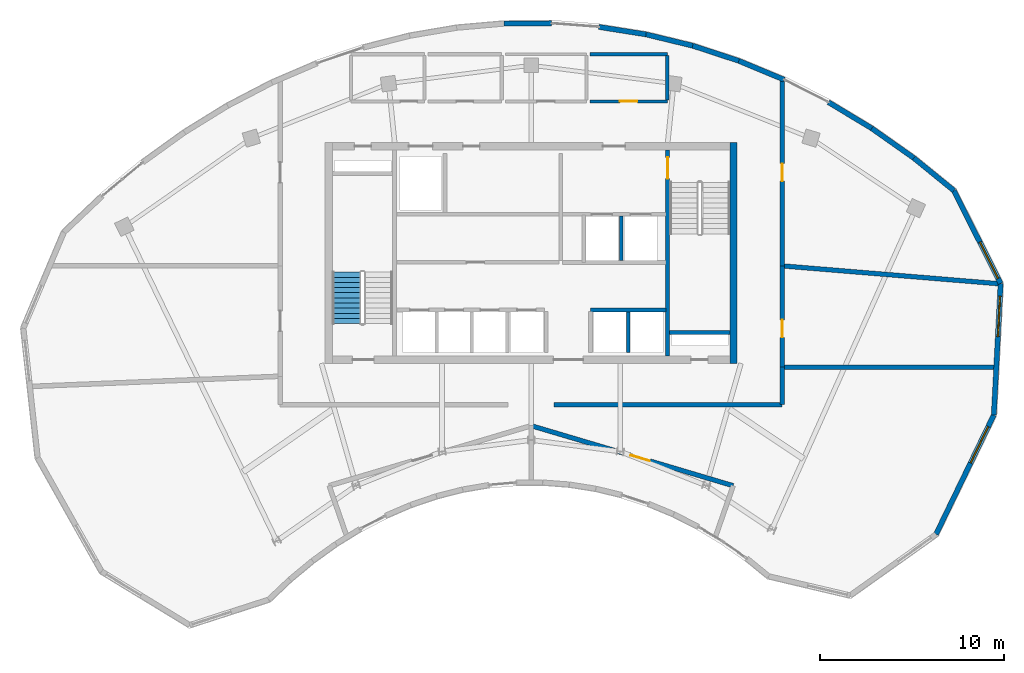
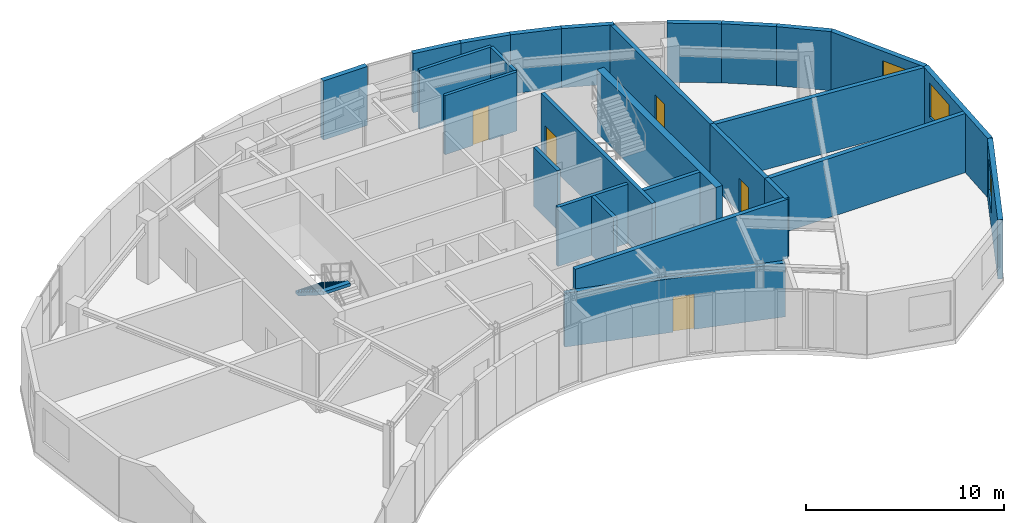
# One storey, part 7 of 9: 27 walls, 5 doors, 3 windows, 1 stair flight, 8 openings, 1 element without a shape of its own.
"""IFC4 building model written with IfcOpenShell, lengths in metres."""

from ifc_helpers import new_model, si_unit, direction, frame, frame_2d, origin, place, context, subcontext, project, spatial, polyline, rectangle, outline, extrude, source, transform, mapped, material, layer, layer_set, type_object, type_shapes, element, fill, aggregate, save


model = new_model("IFC4")

# Units and contexts
model_context = context("Model", 3, precision=1e-05, world=origin(), true_north=direction((0.0, 1.0)))
body_context = subcontext(model_context, "Body", "Model", "MODEL_VIEW")
ifc_project = project(units=[si_unit("LENGTHUNIT", "METRE"), si_unit("AREAUNIT", "SQUARE_METRE"), si_unit("VOLUMEUNIT", "CUBIC_METRE"), si_unit("PLANEANGLEUNIT", "RADIAN"), si_unit("MASSUNIT", "GRAM", prefix="KILO")], contexts=[model_context])

# Site, building, storey
site_placement = place(None, origin())
site = spatial("IfcSite", under=ifc_project, at=site_placement, CompositionType="ELEMENT")
building_placement = place(site_placement, origin())
building = spatial("IfcBuilding", under=site, at=building_placement, Name="Breltana Convention Tower", CompositionType="ELEMENT")
storey_placement = place(building_placement, frame((0.0, 0.0, 291.300048828125)))
storey = spatial("IfcBuildingStorey", under=building, at=storey_placement, Name="L71", CompositionType="ELEMENT", Elevation=291.300048828125)

# Walls
ifc_material_1 = material(Name="Concrete C50/60", Category="concrete")
ifc_layer_1 = layer(ifc_material_1, 0.39990234375, Name="Concrete C50/60")
ifc_layer_set_1 = layer_set([ifc_layer_1], Name="Concrete C50/60")
wall_type_1 = type_object("IfcWallType", Name="SW-CORE-400", PredefinedType="SHEAR", material=ifc_layer_set_1)
shared_shape_1 = source(origin(), body_context, "Body", "SweptSolid", [
    extrude(rectangle(XDim=3.27001953125, YDim=0.219970703125, at=frame_2d((1.635009765625, 0.0))), origin(), (0.0, 0.0, 1.0), 3.89990234375),
])
wall_1_placement = place(storey_placement, frame((55.530029296875, 61.889892578125, 0.0), z_axis=(0.0, 0.0, 1.0), x_axis=(1.0, 0.0, 0.0)))
element("IfcWall", 1, at=wall_1_placement, inside=storey, type_object=wall_type_1, Name="L71 ST-2 Stairwell South Bearing Wall", PredefinedType="SHEAR", context=body_context, shape_type="MappedRepresentation", body=[
    mapped(shared_shape_1, transform((0.0, 0.0, 0.0), scale=1.0)),
])
shared_shape_2 = source(origin(), body_context, "Body", "SweptSolid", [
    extrude(rectangle(XDim=12.0, YDim=0.39990234375, at=frame_2d((6.0, 0.0))), origin(), (0.0, 0.0, 1.0), 3.89990234375),
])
wall_2_placement = place(storey_placement, frame((59.0, 60.199951171875, 0.0), z_axis=(0.0, 0.0, 1.0), x_axis=(0.0, 1.0, 0.0)))
element("IfcWall", 2, at=wall_2_placement, inside=storey, type_object=wall_type_1, Name="L71 East Core Shear Wall", PredefinedType="SHEAR", context=body_context, shape_type="MappedRepresentation", body=[
    mapped(shared_shape_2, transform((0.0, 0.0, 0.0), scale=1.0)),
])

# Wall, opening, door
shared_shape_3 = source(origin(), body_context, "Body", "SweptSolid", [
    extrude(rectangle(XDim=11.199951171875, YDim=0.219970703125, at=frame_2d((5.60009765625, 0.0))), origin(), (0.0, 0.0, 1.0), 3.89990234375),
])
wall_3_placement = place(storey_placement, frame((55.419921875, 60.60009765625, 0.0), z_axis=(0.0, 0.0, 1.0), x_axis=(0.0, 1.0, 0.0)))
wall_3 = element("IfcWall", 3, at=wall_3_placement, inside=storey, type_object=wall_type_1, Name="L71 Core East Stair Spine Wall", PredefinedType="SHEAR", context=body_context, shape_type="MappedRepresentation", body=[
    mapped(shared_shape_3, transform((0.0, 0.0, 0.0), scale=1.0)),
])
opening_1_placement = place(wall_3_placement, frame((9.64501953125, 0.0, 0.0)))
opening_1 = element("IfcOpeningElement", 4, at=opening_1_placement, cuts=wall_3, Name="Opening D-11", PredefinedType="OPENING", context=body_context, shape_type="SweptSolid", body=[
    extrude(rectangle(XDim=1.14990234375, YDim=2.14990234375, at=frame_2d((0.574951171875, 1.074951171875))), frame((0.0, 0.1201171875, 0.0), z_axis=(0.0, -1.0, 0.0), x_axis=(1.0, 0.0, 0.0)), (0.0, 0.0, 1.0), 0.239990234375),
])
ifc_material_2 = material(Name="Steel Stair Exit Door", Category="steel")
door_type_1 = type_object("IfcDoorType", Name="DR-FD120-1150", OperationType="NOTDEFINED", PredefinedType="DOOR", material=ifc_material_2)
shared_shape_4 = source(origin(), body_context, "Body", "SweptSolid", [
    extrude(rectangle(XDim=1.14990234375, YDim=2.14990234375, at=frame_2d((0.574951171875, 1.074951171875))), frame((0.0, 0.02490234375, 0.0), z_axis=(0.0, -1.0, 0.0), x_axis=(1.0, 0.0, 0.0)), (0.0, 0.0, 1.0), 0.050048828125),
])
type_shapes(door_type_1, [shared_shape_4])
door_1_placement = place(opening_1_placement, origin())
door_1 = element("IfcDoor", 5, at=door_1_placement, inside=storey, type_object=door_type_1, Name="L71 interior door D-L71-ST2", OperationType="SINGLE_SWING_LEFT", OverallHeight=2.14990234375, OverallWidth=1.14990234375, PredefinedType="DOOR", context=body_context, shape_type="MappedRepresentation", body=[
    mapped(shared_shape_4, transform((0.0, 0.0, 0.0), scale=1.0)),
])
fill(opening_1, door_1)

# Wall, opening, window
ifc_material_3 = material(Name="Limestone Buff Insulated Wall", Category="masonry")
ifc_layer_2 = layer(ifc_material_3, 0.280029296875, Name="Limestone Buff Insulated Wall")
ifc_layer_set_2 = layer_set([ifc_layer_2], Name="Limestone Buff Insulated Wall")
wall_type_2 = type_object("IfcWallType", Name="WL-EXT-NOSE-280", PredefinedType="SOLIDWALL", material=ifc_layer_set_2)
shared_shape_5 = source(origin(), body_context, "Body", "SweptSolid", [
    extrude(rectangle(XDim=5.6533203125, YDim=0.280029296875, at=frame_2d((2.82666015625, 0.0))), origin(), (0.0, 0.0, 1.0), 3.639892578125),
])
wall_4_placement = place(storey_placement, frame((70.976318359375, 69.5908203125, 0.0), z_axis=(0.0, 0.0, 1.0), x_axis=(0.449302555419, -0.893379658205, 0.0)))
wall_4 = element("IfcWall", 6, at=wall_4_placement, inside=storey, type_object=wall_type_2, Name="L71 curved limestone nose wall E1", PredefinedType="SOLIDWALL", context=body_context, shape_type="MappedRepresentation", body=[
    mapped(shared_shape_5, transform((0.0, 0.0, 0.0), scale=1.0)),
])
opening_2_placement = place(wall_4_placement, frame((3.139892578125, 0.0, 0.949951171875)))
opening_2 = element("IfcOpeningElement", 7, at=opening_2_placement, cuts=wall_4, Name="Opening W-03", PredefinedType="OPENING", context=body_context, shape_type="SweptSolid", body=[
    extrude(rectangle(XDim=2.199951171875, YDim=2.10009765625, at=frame_2d((1.10009765625, 1.050048828125))), frame((0.0, 0.14990234375, 0.0), z_axis=(0.0, -1.0, 0.0), x_axis=(1.0, 0.0, 0.0)), (0.0, 0.0, 1.0), 0.300048828125),
])
ifc_material_4 = material(Name="Glass Low-E Insulated Window", Category="glass")
window_type = type_object("IfcWindowType", Name="WN-NOSE-2200X2100", PartitioningType="TRIPLE_PANEL_VERTICAL", PredefinedType="WINDOW", material=ifc_material_4)
shared_shape_6 = source(origin(), body_context, "Body", "SweptSolid", [
    extrude(rectangle(XDim=2.199951171875, YDim=2.10009765625, at=frame_2d((1.10009765625, 1.050048828125))), frame((0.0, 0.030029296875, 0.0), z_axis=(0.0, -1.0, 0.0), x_axis=(1.0, 0.0, 0.0)), (0.0, 0.0, 1.0), 0.06005859375),
])
type_shapes(window_type, [shared_shape_6])
window_1_placement = place(opening_2_placement, origin())
window_1 = element("IfcWindow", 8, at=window_1_placement, inside=storey, type_object=window_type, Name="L71 nose window E1", OverallHeight=2.10009765625, OverallWidth=2.199951171875, PartitioningType="TRIPLE_PANEL_VERTICAL", PredefinedType="WINDOW", context=body_context, shape_type="MappedRepresentation", body=[
    mapped(shared_shape_6, transform((0.0, 0.0, 0.0), scale=1.0)),
])
fill(opening_2, window_1)

shared_shape_7 = source(origin(), body_context, "Body", "SweptSolid", [
    extrude(rectangle(XDim=7.151123046875, YDim=0.280029296875, at=frame_2d((3.57568359375, 0.0))), origin(), (0.0, 0.0, 1.0), 3.639892578125),
])
wall_5_placement = place(storey_placement, frame((73.516357421875, 64.540283203125, 0.0), z_axis=(0.0, 0.0, 1.0), x_axis=(-0.051449614265, -0.998675591567, 0.0)))
wall_5 = element("IfcWall", 9, at=wall_5_placement, inside=storey, type_object=wall_type_2, Name="L71 curved limestone nose wall E2", PredefinedType="SOLIDWALL", context=body_context, shape_type="MappedRepresentation", body=[
    mapped(shared_shape_7, transform((0.0, 0.0, 0.0), scale=1.0)),
])
opening_3_placement = place(wall_5_placement, frame((0.687744140625, 0.0, 0.949951171875)))
opening_3 = element("IfcOpeningElement", 10, at=opening_3_placement, cuts=wall_5, Name="Opening W-03", PredefinedType="OPENING", context=body_context, shape_type="SweptSolid", body=[
    extrude(rectangle(XDim=2.199951171875, YDim=2.10009765625, at=frame_2d((1.10009765625, 1.050048828125))), frame((0.0, 0.14990234375, 0.0), z_axis=(0.0, -1.0, 0.0), x_axis=(1.0, 0.0, 0.0)), (0.0, 0.0, 1.0), 0.300048828125),
])
window_2_placement = place(opening_3_placement, origin())
window_2 = element("IfcWindow", 11, at=window_2_placement, inside=storey, type_object=window_type, Name="L71 nose window E2", OverallHeight=2.10009765625, OverallWidth=2.199951171875, PartitioningType="TRIPLE_PANEL_VERTICAL", PredefinedType="WINDOW", context=body_context, shape_type="MappedRepresentation", body=[
    mapped(shared_shape_6, transform((0.0, 0.0, 0.0), scale=1.0)),
])
fill(opening_3, window_2)

shared_shape_8 = source(origin(), body_context, "Body", "SweptSolid", [
    extrude(rectangle(XDim=7.21142578125, YDim=0.280029296875, at=frame_2d((3.605712890625, 0.0))), origin(), (0.0, 0.0, 1.0), 3.639892578125),
])
wall_6_placement = place(storey_placement, frame((73.1484375, 57.398681640625, 0.0), z_axis=(0.0, 0.0, 1.0), x_axis=(-0.436088263006, -0.899903898685, 0.0)))
wall_6 = element("IfcWall", 12, at=wall_6_placement, inside=storey, type_object=wall_type_2, Name="L71 curved limestone nose wall E3", PredefinedType="SOLIDWALL", context=body_context, shape_type="MappedRepresentation", body=[
    mapped(shared_shape_8, transform((0.0, 0.0, 0.0), scale=1.0)),
])
opening_4_placement = place(wall_6_placement, frame((0.702880859375, 0.0, 0.949951171875)))
opening_4 = element("IfcOpeningElement", 13, at=opening_4_placement, cuts=wall_6, Name="Opening W-03", PredefinedType="OPENING", context=body_context, shape_type="SweptSolid", body=[
    extrude(rectangle(XDim=2.199951171875, YDim=2.10009765625, at=frame_2d((1.10009765625, 1.050048828125))), frame((0.0, 0.14990234375, 0.0), z_axis=(0.0, -1.0, 0.0), x_axis=(1.0, 0.0, 0.0)), (0.0, 0.0, 1.0), 0.300048828125),
])
window_3_placement = place(opening_4_placement, origin())
window_3 = element("IfcWindow", 14, at=window_3_placement, inside=storey, type_object=window_type, Name="L71 nose window E3", OverallHeight=2.10009765625, OverallWidth=2.199951171875, PartitioningType="TRIPLE_PANEL_VERTICAL", PredefinedType="WINDOW", context=body_context, shape_type="MappedRepresentation", body=[
    mapped(shared_shape_6, transform((0.0, 0.0, 0.0), scale=1.0)),
])
fill(opening_4, window_3)

# Walls
shared_shape_9 = source(origin(), body_context, "Body", "SweptSolid", [
    extrude(rectangle(XDim=2.578125, YDim=0.280029296875, at=frame_2d((1.2890625, 0.0))), origin(), (0.0, 0.0, 1.0), 3.639892578125),
])
wall_7_placement = place(storey_placement, frame((46.52685546875, 78.668212890625, 0.0), z_axis=(0.0, 0.0, 1.0), x_axis=(0.999982204439, 0.005965802924, 0.0)))
element("IfcWall", 15, at=wall_7_placement, inside=storey, type_object=wall_type_2, Name="L71 curved limestone nose wall E27", PredefinedType="SOLIDWALL", context=body_context, shape_type="MappedRepresentation", body=[
    mapped(shared_shape_9, transform((0.0, 0.0, 0.0), scale=1.0)),
])
shared_shape_10 = source(origin(), body_context, "Body", "SweptSolid", [
    extrude(rectangle(XDim=2.592529296875, YDim=0.280029296875, at=frame_2d((1.29638671875, 0.0))), origin(), (0.0, 0.0, 1.0), 3.639892578125),
])
wall_8_placement = place(storey_placement, frame((51.6787109375, 78.487548828125, 0.0), z_axis=(0.0, 0.0, 1.0), x_axis=(0.987661204406, -0.156605700126, 0.0)))
element("IfcWall", 16, at=wall_8_placement, inside=storey, type_object=wall_type_2, Name="L71 curved limestone nose wall E28", PredefinedType="SOLIDWALL", context=body_context, shape_type="MappedRepresentation", body=[
    mapped(shared_shape_10, transform((0.0, 0.0, 0.0), scale=1.0)),
])
shared_shape_11 = source(origin(), body_context, "Body", "SweptSolid", [
    extrude(rectangle(XDim=2.63623046875, YDim=0.280029296875, at=frame_2d((1.318115234375, 0.0))), origin(), (0.0, 0.0, 1.0), 3.639892578125),
])
wall_9_placement = place(storey_placement, frame((56.776611328125, 77.466796875, 0.0), z_axis=(0.0, 0.0, 1.0), x_axis=(0.950200321617, -0.311639774097, 0.0)))
element("IfcWall", 17, at=wall_9_placement, inside=storey, type_object=wall_type_2, Name="L71 curved limestone nose wall E30", PredefinedType="SOLIDWALL", context=body_context, shape_type="MappedRepresentation", body=[
    mapped(shared_shape_11, transform((0.0, 0.0, 0.0), scale=1.0)),
])
shared_shape_12 = source(origin(), body_context, "Body", "SweptSolid", [
    extrude(rectangle(XDim=2.668212890625, YDim=0.280029296875, at=frame_2d((1.333984375, 0.0))), origin(), (0.0, 0.0, 1.0), 3.639892578125),
])
wall_10_placement = place(storey_placement, frame((59.281494140625, 76.645263671875, 0.0), z_axis=(0.0, 0.0, 1.0), x_axis=(0.923290633029, -0.384102078828, 0.0)))
element("IfcWall", 18, at=wall_10_placement, inside=storey, type_object=wall_type_2, Name="L71 curved limestone nose wall E31", PredefinedType="SOLIDWALL", context=body_context, shape_type="MappedRepresentation", body=[
    mapped(shared_shape_12, transform((0.0, 0.0, 0.0), scale=1.0)),
])
shared_shape_13 = source(origin(), body_context, "Body", "SweptSolid", [
    extrude(rectangle(XDim=2.748291015625, YDim=0.280029296875, at=frame_2d((1.3740234375, 0.0))), origin(), (0.0, 0.0, 1.0), 3.639892578125),
])
wall_11_placement = place(storey_placement, frame((64.157470703125, 74.3955078125, 0.0), z_axis=(0.0, 0.0, 1.0), x_axis=(0.856149718453, -0.516727838996, 0.0)))
element("IfcWall", 19, at=wall_11_placement, inside=storey, type_object=wall_type_2, Name="L71 curved limestone nose wall E32", PredefinedType="SOLIDWALL", context=body_context, shape_type="MappedRepresentation", body=[
    mapped(shared_shape_13, transform((0.0, 0.0, 0.0), scale=1.0)),
])
shared_shape_14 = source(origin(), body_context, "Body", "SweptSolid", [
    extrude(rectangle(XDim=2.811767578125, YDim=0.280029296875, at=frame_2d((1.40576171875, 0.0))), origin(), (0.0, 0.0, 1.0), 3.639892578125),
])
wall_12_placement = place(storey_placement, frame((68.794677734375, 71.36474609375, 0.0), z_axis=(0.0, 0.0, 1.0), x_axis=(0.775880230716, -0.630880232361, 0.0)))
element("IfcWall", 20, at=wall_12_placement, inside=storey, type_object=wall_type_2, Name="L71 curved limestone nose wall E34", PredefinedType="SOLIDWALL", context=body_context, shape_type="MappedRepresentation", body=[
    mapped(shared_shape_14, transform((0.0, 0.0, 0.0), scale=1.0)),
])
shared_shape_15 = source(origin(), body_context, "Body", "SweptSolid", [
    extrude(rectangle(XDim=2.61083984375, YDim=0.280029296875, at=frame_2d((1.305419921875, 0.0))), origin(), (0.0, 0.0, 1.0), 3.639892578125),
])
wall_13_placement = place(storey_placement, frame((54.2392578125, 78.08154296875, 0.0), z_axis=(0.0, 0.0, 1.0), x_axis=(0.97188253817, -0.235466201396, 0.0)))
element("IfcWall", 21, at=wall_13_placement, inside=storey, type_object=wall_type_2, Name="L71 curved limestone nose wall E29", PredefinedType="SOLIDWALL", context=body_context, shape_type="MappedRepresentation", body=[
    mapped(shared_shape_15, transform((0.0, 0.0, 0.0), scale=1.0)),
])
shared_shape_16 = source(origin(), body_context, "Body", "SweptSolid", [
    extrude(rectangle(XDim=2.794921875, YDim=0.280029296875, at=frame_2d((1.3974609375, 0.0))), origin(), (0.0, 0.0, 1.0), 3.639892578125),
])
wall_14_placement = place(storey_placement, frame((66.510498046875, 72.975341796875, 0.0), z_axis=(0.0, 0.0, 1.0), x_axis=(0.817265517835, -0.576261289136, 0.0)))
element("IfcWall", 22, at=wall_14_placement, inside=storey, type_object=wall_type_2, Name="L71 curved limestone nose wall E33", PredefinedType="SOLIDWALL", context=body_context, shape_type="MappedRepresentation", body=[
    mapped(shared_shape_16, transform((0.0, 0.0, 0.0), scale=1.0)),
])
ifc_material_5 = material(Name="Autoclaved Aerated Concrete Block", Category="concrete")
ifc_layer_3 = layer(ifc_material_5, 0.199951171875, Name="Autoclaved Aerated Concrete Block")
ifc_layer_set_3 = layer_set([ifc_layer_3], Name="Autoclaved Aerated Concrete Block")
wall_type_3 = type_object("IfcWallType", Name="WL-SHAFT-200", PredefinedType="SOLIDWALL", material=ifc_layer_set_3)
shared_shape_17 = source(origin(), body_context, "Body", "SweptSolid", [
    extrude(rectangle(XDim=2.39990234375, YDim=0.199951171875, at=frame_2d((1.199951171875, 0.0))), origin(), (0.0, 0.0, 1.0), 3.639892578125),
])
wall_15_placement = place(storey_placement, frame((52.89990234375, 65.800048828125, 0.0), z_axis=(0.0, 0.0, 1.0), x_axis=(0.0, 1.0, 0.0)))
element("IfcWall", 23, at=wall_15_placement, inside=storey, type_object=wall_type_3, Name="L71 interior partition W-L71-FL-DIV", PredefinedType="SOLIDWALL", context=body_context, shape_type="MappedRepresentation", body=[
    mapped(shared_shape_17, transform((0.0, 0.0, 0.0), scale=1.0)),
])
shared_shape_18 = source(origin(), body_context, "Body", "SweptSolid", [
    extrude(rectangle(XDim=4.10009765625, YDim=0.199951171875, at=frame_2d((2.050048828125, 0.0))), origin(), (0.0, 0.0, 1.0), 3.639892578125),
])
wall_16_placement = place(storey_placement, frame((51.219970703125, 63.10009765625, 0.0), z_axis=(0.0, 0.0, 1.0), x_axis=(1.0, 0.0, 0.0)))
element("IfcWall", 24, at=wall_16_placement, inside=storey, type_object=wall_type_3, Name="L71 interior partition W-L71-SH-X-FRONT", PredefinedType="SOLIDWALL", context=body_context, shape_type="MappedRepresentation", body=[
    mapped(shared_shape_18, transform((0.0, 0.0, 0.0), scale=1.0)),
])
shared_shape_19 = source(origin(), body_context, "Body", "SweptSolid", [
    extrude(rectangle(XDim=2.199951171875, YDim=0.199951171875, at=frame_2d((1.10009765625, 0.0))), origin(), (0.0, 0.0, 1.0), 3.639892578125),
])
wall_17_placement = place(storey_placement, frame((53.280029296875, 60.800048828125, 0.0), z_axis=(0.0, 0.0, 1.0), x_axis=(0.0, 1.0, 0.0)))
element("IfcWall", 25, at=wall_17_placement, inside=storey, type_object=wall_type_3, Name="L71 interior partition W-L71-SH-X-DIV", PredefinedType="SOLIDWALL", context=body_context, shape_type="MappedRepresentation", body=[
    mapped(shared_shape_19, transform((0.0, 0.0, 0.0), scale=1.0)),
])
ifc_material_6 = material(Name="Cement Board Wet-Area Partition")
ifc_layer_4 = layer(ifc_material_6, 0.175048828125, Name="Cement Board Wet-Area Partition")
ifc_layer_set_4 = layer_set([ifc_layer_4], Name="Cement Board Wet-Area Partition")
wall_type_4 = type_object("IfcWallType", Name="WL-WET-175", PredefinedType="PARTITIONING", material=ifc_layer_set_4)
shared_shape_20 = source(origin(), body_context, "Body", "SweptSolid", [
    extrude(rectangle(XDim=2.402587890625, YDim=0.175048828125, at=frame_2d((1.201171875, 0.0))), origin(), (0.0, 0.0, 1.0), 3.639892578125),
])
wall_18_placement = place(storey_placement, frame((55.39990234375, 74.518798828125, 0.0), z_axis=(0.0, 0.0, 1.0), x_axis=(0.0, 1.0, 0.0)))
element("IfcWall", 26, at=wall_18_placement, inside=storey, type_object=wall_type_4, Name="L71 interior partition W-L71-WCA-E", PredefinedType="PARTITIONING", context=body_context, shape_type="MappedRepresentation", body=[
    mapped(shared_shape_20, transform((0.0, 0.0, 0.0), scale=1.0)),
])

# Wall, opening, door
shared_shape_21 = source(origin(), body_context, "Body", "SweptSolid", [
    extrude(rectangle(XDim=4.199951171875, YDim=0.175048828125, at=frame_2d((2.10009765625, 0.0))), origin(), (0.0, 0.0, 1.0), 3.639892578125),
])
wall_19_placement = place(storey_placement, frame((51.199951171875, 74.43994140625, 0.0), z_axis=(0.0, 0.0, 1.0), x_axis=(1.0, 0.0, 0.0)))
wall_19 = element("IfcWall", 27, at=wall_19_placement, inside=storey, type_object=wall_type_4, Name="L71 interior partition W-L71-WCA-S", PredefinedType="PARTITIONING", context=body_context, shape_type="MappedRepresentation", body=[
    mapped(shared_shape_21, transform((0.0, 0.0, 0.0), scale=1.0)),
])
opening_5_placement = place(wall_19_placement, frame((1.625, 0.0, 0.0)))
opening_5 = element("IfcOpeningElement", 28, at=opening_5_placement, cuts=wall_19, Name="Opening D-16", PredefinedType="OPENING", context=body_context, shape_type="SweptSolid", body=[
    extrude(rectangle(XDim=0.949951171875, YDim=2.1201171875, at=frame_2d((0.47509765625, 1.06005859375))), frame((0.0, 0.09765625, 0.0), z_axis=(0.0, -1.0, 0.0), x_axis=(1.0, 0.0, 0.0)), (0.0, 0.0, 1.0), 0.195068359375),
])
ifc_material_7 = material(Name="Timber Laminate Accessible Door", Category="wood")
door_type_2 = type_object("IfcDoorType", Name="DR-ACC-950", OperationType="NOTDEFINED", PredefinedType="DOOR", material=ifc_material_7)
shared_shape_22 = source(origin(), body_context, "Body", "SweptSolid", [
    extrude(rectangle(XDim=0.949951171875, YDim=2.1201171875, at=frame_2d((0.47509765625, 1.06005859375))), frame((0.0, 0.02490234375, 0.0), z_axis=(0.0, -1.0, 0.0), x_axis=(1.0, 0.0, 0.0)), (0.0, 0.0, 1.0), 0.050048828125),
])
type_shapes(door_type_2, [shared_shape_22])
door_2_placement = place(opening_5_placement, origin())
door_2 = element("IfcDoor", 29, at=door_2_placement, inside=storey, type_object=door_type_2, Name="L71 interior door D-L71-WCA", OperationType="SINGLE_SWING_RIGHT", OverallHeight=2.1201171875, OverallWidth=0.949951171875, PredefinedType="DOOR", context=body_context, shape_type="MappedRepresentation", body=[
    mapped(shared_shape_22, transform((0.0, 0.0, 0.0), scale=1.0)),
])
fill(opening_5, door_2)

# Wall
ifc_material_8 = material(Name="Moisture-Resistant Gypsum Chase Wall")
ifc_layer_5 = layer(ifc_material_8, 0.179931640625, Name="Moisture-Resistant Gypsum Chase Wall")
ifc_layer_set_5 = layer_set([ifc_layer_5], Name="Moisture-Resistant Gypsum Chase Wall")
wall_type_5 = type_object("IfcWallType", Name="WL-PLUMB-180", PredefinedType="PLUMBINGWALL", material=ifc_layer_set_5)
shared_shape_23 = source(origin(), body_context, "Body", "SweptSolid", [
    extrude(rectangle(XDim=4.199951171875, YDim=0.179931640625, at=frame_2d((2.10009765625, 0.0))), origin(), (0.0, 0.0, 1.0), 3.639892578125),
])
wall_20_placement = place(storey_placement, frame((51.199951171875, 77.0, 0.0), z_axis=(0.0, 0.0, 1.0), x_axis=(1.0, 0.0, 0.0)))
element("IfcWall", 30, at=wall_20_placement, inside=storey, type_object=wall_type_5, Name="L71 interior partition W-L71-WCA-N", PredefinedType="PLUMBINGWALL", context=body_context, shape_type="MappedRepresentation", body=[
    mapped(shared_shape_23, transform((0.0, 0.0, 0.0), scale=1.0)),
])

# Wall, opening, door
ifc_material_9 = material(Name="Gypsum Acoustic Double Stud Wall")
ifc_layer_6 = layer(ifc_material_9, 0.25, Name="Gypsum Acoustic Double Stud Wall")
ifc_layer_set_6 = layer_set([ifc_layer_6], Name="Gypsum Acoustic Double Stud Wall")
wall_type_6 = type_object("IfcWallType", Name="WL-ACOUSTIC-250", PredefinedType="PARTITIONING", material=ifc_layer_set_6)
shared_shape_24 = source(origin(), body_context, "Body", "SweptSolid", [
    extrude(rectangle(XDim=11.453857421875, YDim=0.25, at=frame_2d((5.72705078125, 0.0))), origin(), (0.0, 0.0, 1.0), 3.31396484375),
])
wall_21_placement = place(storey_placement, frame((48.0, 56.813232421875, 0.0), z_axis=(0.0, 0.0, 1.0), x_axis=(0.958594874645, -0.284773359541, 0.0)))
wall_21 = element("IfcWall", 31, at=wall_21_placement, inside=storey, type_object=wall_type_6, Name="L71 interior partition W-L71-ES2-COR", PredefinedType="PARTITIONING", context=body_context, shape_type="MappedRepresentation", body=[
    mapped(shared_shape_24, transform((0.0, 0.0, 0.0), scale=1.0)),
])
opening_6_placement = place(wall_21_placement, frame((5.626953125, 0.0, 0.0)))
opening_6 = element("IfcOpeningElement", 32, at=opening_6_placement, cuts=wall_21, Name="Opening D-12", PredefinedType="OPENING", context=body_context, shape_type="SweptSolid", body=[
    extrude(rectangle(XDim=1.10009765625, YDim=2.14990234375, at=frame_2d((0.550048828125, 1.074951171875))), frame((0.0, 0.135009765625, 0.0), z_axis=(0.0, -1.0, 0.0), x_axis=(1.0, 0.0, 0.0)), (0.0, 0.0, 1.0), 0.27001953125),
])
ifc_material_10 = material(Name="Timber Oak Acoustic Door", Category="wood")
door_type_3 = type_object("IfcDoorType", Name="DR-INT-1100", OperationType="NOTDEFINED", PredefinedType="DOOR", material=ifc_material_10)
shared_shape_25 = source(origin(), body_context, "Body", "SweptSolid", [
    extrude(rectangle(XDim=1.10009765625, YDim=2.14990234375, at=frame_2d((0.550048828125, 1.074951171875))), frame((0.0, 0.02490234375, 0.0), z_axis=(0.0, -1.0, 0.0), x_axis=(1.0, 0.0, 0.0)), (0.0, 0.0, 1.0), 0.050048828125),
])
type_shapes(door_type_3, [shared_shape_25])
door_3_placement = place(opening_6_placement, origin())
door_3 = element("IfcDoor", 33, at=door_3_placement, inside=storey, type_object=door_type_3, Name="L71 interior door D-L71-ES2", OperationType="SINGLE_SWING_RIGHT", OverallHeight=2.14990234375, OverallWidth=1.10009765625, PredefinedType="DOOR", context=body_context, shape_type="MappedRepresentation", body=[
    mapped(shared_shape_25, transform((0.0, 0.0, 0.0), scale=1.0)),
])
fill(opening_6, door_3)

# Walls
shared_shape_26 = source(origin(), body_context, "Body", "SweptSolid", [
    extrude(rectangle(XDim=12.389892578125, YDim=0.25, at=frame_2d((6.19482421875, 0.0))), origin(), (0.0, 0.0, 1.0), 3.639892578125),
])
wall_22_placement = place(storey_placement, frame((49.25, 57.9599609375, 0.0), z_axis=(0.0, 0.0, 1.0), x_axis=(1.0, 0.0, 0.0)))
element("IfcWall", 34, at=wall_22_placement, inside=storey, type_object=wall_type_6, Name="L71 interior partition W-L71-Z45-CSE", PredefinedType="PARTITIONING", context=body_context, shape_type="MappedRepresentation", body=[
    mapped(shared_shape_26, transform((0.0, 0.0, 0.0), scale=1.0)),
])
shared_shape_27 = source(origin(), body_context, "Body", "SweptSolid", [
    extrude(rectangle(XDim=11.632568359375, YDim=0.25, at=frame_2d((5.81640625, 0.0))), origin(), (0.0, 0.0, 1.0), 3.639892578125),
])
wall_23_placement = place(storey_placement, frame((61.639892578125, 60.0, 0.0), z_axis=(0.0, 0.0, 1.0), x_axis=(1.0, 0.0, 0.0)))
element("IfcWall", 35, at=wall_23_placement, inside=storey, type_object=wall_type_6, Name="L71 interior partition W-L71-EXE1-N", PredefinedType="PARTITIONING", context=body_context, shape_type="MappedRepresentation", body=[
    mapped(shared_shape_27, transform((0.0, 0.0, 0.0), scale=1.0)),
])
shared_shape_28 = source(origin(), body_context, "Body", "SweptSolid", [
    extrude(rectangle(XDim=2.0400390625, YDim=0.25, at=frame_2d((1.02001953125, 0.0))), origin(), (0.0, 0.0, 1.0), 3.639892578125),
])
wall_24_placement = place(storey_placement, frame((61.639892578125, 57.9599609375, 0.0), z_axis=(0.0, 0.0, 1.0), x_axis=(0.0, 1.0, 0.0)))
element("IfcWall", 36, at=wall_24_placement, inside=storey, type_object=wall_type_6, Name="L71 interior partition W-L71-EXE1-ENT", PredefinedType="PARTITIONING", context=body_context, shape_type="MappedRepresentation", body=[
    mapped(shared_shape_28, transform((0.0, 0.0, 0.0), scale=1.0)),
])
shared_shape_29 = source(origin(), body_context, "Body", "SweptSolid", [
    extrude(rectangle(XDim=11.78662109375, YDim=0.25, at=frame_2d((5.893310546875, 0.0))), origin(), (0.0, 0.0, 1.0), 3.639892578125),
])
wall_25_placement = place(storey_placement, frame((61.639892578125, 65.5, 0.0), z_axis=(0.0, 0.0, 1.0), x_axis=(0.996614976318, -0.082210637868, 0.0)))
element("IfcWall", 37, at=wall_25_placement, inside=storey, type_object=wall_type_6, Name="L71 interior partition W-L71-EXE2-N", PredefinedType="PARTITIONING", context=body_context, shape_type="MappedRepresentation", body=[
    mapped(shared_shape_29, transform((0.0, 0.0, 0.0), scale=1.0)),
])

# Wall, opening, door
shared_shape_30 = source(origin(), body_context, "Body", "SweptSolid", [
    extrude(rectangle(XDim=5.5, YDim=0.25, at=frame_2d((2.75, 0.0))), origin(), (0.0, 0.0, 1.0), 3.639892578125),
])
wall_26_placement = place(storey_placement, frame((61.639892578125, 60.0, 0.0), z_axis=(0.0, 0.0, 1.0), x_axis=(0.0, 1.0, 0.0)))
wall_26 = element("IfcWall", 38, at=wall_26_placement, inside=storey, type_object=wall_type_6, Name="L71 interior partition W-L71-EXE2-ENT", PredefinedType="PARTITIONING", context=body_context, shape_type="MappedRepresentation", body=[
    mapped(shared_shape_30, transform((0.0, 0.0, 0.0), scale=1.0)),
])
opening_7_placement = place(wall_26_placement, frame((1.614990234375, 0.0, 0.0)))
opening_7 = element("IfcOpeningElement", 39, at=opening_7_placement, cuts=wall_26, Name="Opening D-17", PredefinedType="OPENING", context=body_context, shape_type="SweptSolid", body=[
    extrude(rectangle(XDim=0.949951171875, YDim=2.10009765625, at=frame_2d((0.47509765625, 1.050048828125))), frame((0.0, 0.135009765625, 0.0), z_axis=(0.0, -1.0, 0.0), x_axis=(1.0, 0.0, 0.0)), (0.0, 0.0, 1.0), 0.27001953125),
])
ifc_material_11 = material(Name="Timber Oak Veneer Door", Category="wood")
door_type_4 = type_object("IfcDoorType", Name="DR-INT-950", OperationType="NOTDEFINED", PredefinedType="DOOR", material=ifc_material_11)
shared_shape_31 = source(origin(), body_context, "Body", "SweptSolid", [
    extrude(rectangle(XDim=0.949951171875, YDim=2.10009765625, at=frame_2d((0.47509765625, 1.050048828125))), frame((0.0, 0.02490234375, 0.0), z_axis=(0.0, -1.0, 0.0), x_axis=(1.0, 0.0, 0.0)), (0.0, 0.0, 1.0), 0.050048828125),
])
type_shapes(door_type_4, [shared_shape_31])
door_4_placement = place(opening_7_placement, origin())
door_4 = element("IfcDoor", 40, at=door_4_placement, inside=storey, type_object=door_type_4, Name="L71 interior door D-L71-EXE2", OperationType="SINGLE_SWING_LEFT", OverallHeight=2.10009765625, OverallWidth=0.949951171875, PredefinedType="DOOR", context=body_context, shape_type="MappedRepresentation", body=[
    mapped(shared_shape_31, transform((0.0, 0.0, 0.0), scale=1.0)),
])
fill(opening_7, door_4)

shared_shape_32 = source(origin(), body_context, "Body", "SweptSolid", [
    extrude(rectangle(XDim=10.1533203125, YDim=0.25, at=frame_2d((5.07666015625, 0.0))), origin(), (0.0, 0.0, 1.0), 3.639892578125),
])
wall_27_placement = place(storey_placement, frame((61.639892578125, 65.5, 0.0), z_axis=(0.0, 0.0, 1.0), x_axis=(0.0, 1.0, 0.0)))
wall_27 = element("IfcWall", 41, at=wall_27_placement, inside=storey, type_object=wall_type_6, Name="L71 interior partition W-L71-EXE3-ENT", PredefinedType="PARTITIONING", context=body_context, shape_type="MappedRepresentation", body=[
    mapped(shared_shape_32, transform((0.0, 0.0, 0.0), scale=1.0)),
])
opening_8_placement = place(wall_27_placement, frame((4.6015625, 0.0, 0.0)))
opening_8 = element("IfcOpeningElement", 42, at=opening_8_placement, cuts=wall_27, Name="Opening D-17", PredefinedType="OPENING", context=body_context, shape_type="SweptSolid", body=[
    extrude(rectangle(XDim=0.949951171875, YDim=2.10009765625, at=frame_2d((0.47509765625, 1.050048828125))), frame((0.0, 0.135009765625, 0.0), z_axis=(0.0, -1.0, 0.0), x_axis=(1.0, 0.0, 0.0)), (0.0, 0.0, 1.0), 0.27001953125),
])
door_5_placement = place(opening_8_placement, origin())
door_5 = element("IfcDoor", 43, at=door_5_placement, inside=storey, type_object=door_type_4, Name="L71 interior door D-L71-EXE3", OperationType="SINGLE_SWING_RIGHT", OverallHeight=2.10009765625, OverallWidth=0.949951171875, PredefinedType="DOOR", context=body_context, shape_type="MappedRepresentation", body=[
    mapped(shared_shape_31, transform((0.0, 0.0, 0.0), scale=1.0)),
])
fill(opening_8, door_5)

# Stair, stair flight
ifc_material_12 = material(Name="Concrete C40/50", Category="concrete")
stair_type = type_object("IfcStairType", Name="ST-DOG-1560-R177", PredefinedType="HALF_TURN_STAIR", material=ifc_material_12)
stair_placement = place(storey_placement, origin())
stair = element("IfcStair", 44, at=stair_placement, inside=storey, type_object=stair_type, Name="L71 Protected Core Exit Stair ST-1", PredefinedType="HALF_TURN_STAIR")
stair_flight_type = type_object("IfcStairFlightType", Name="STF-DOG-1560-N11-R177", PredefinedType="STRAIGHT", material=ifc_material_12)
stair_flight_placement = place(storey_placement, frame((37.97998046875, 65.159912109375, 1.949951171875), z_axis=(0.0, 0.0, 1.0), x_axis=(0.0, -1.0, 0.0)))
stair_flight = element("IfcStairFlight", 45, at=stair_flight_placement, type_object=stair_flight_type, Name="ST-1 flight 2", NumberOfRisers=11, NumberOfTreads=10, PredefinedType="STRAIGHT", RiserHeight=0.177272727, TreadLength=0.28, context=body_context, shape_type="SweptSolid", body=[
    extrude(outline(polyline([(0.0, 0.0), (0.0, 0.17724609375), (0.280029296875, 0.17724609375), (0.280029296875, 0.3544921875), (0.56005859375, 0.3544921875), (0.56005859375, 0.53173828125), (0.840087890625, 0.53173828125), (0.840087890625, 0.708984375), (1.1201171875, 0.708984375), (1.1201171875, 0.886474609375), (1.39990234375, 0.886474609375), (1.39990234375, 1.063720703125), (1.679931640625, 1.063720703125), (1.679931640625, 1.240966796875), (1.9599609375, 1.240966796875), (1.9599609375, 1.418212890625), (2.239990234375, 1.418212890625), (2.239990234375, 1.595458984375), (2.52001953125, 1.595458984375), (2.52001953125, 1.772705078125), (2.800048828125, 1.772705078125), (2.800048828125, 1.949951171875), (2.800048828125, 1.59521484375), (0.2802734375, 0.0), (0.0, 0.0)])), frame((0.0, 0.780029296875, 0.0), z_axis=(0.0, -1.0, 0.0), x_axis=(1.0, 0.0, 0.0)), (0.0, 0.0, 1.0), 1.56005859375),
])
aggregate(stair, [stair_flight])

save(model, "model.ifc")
